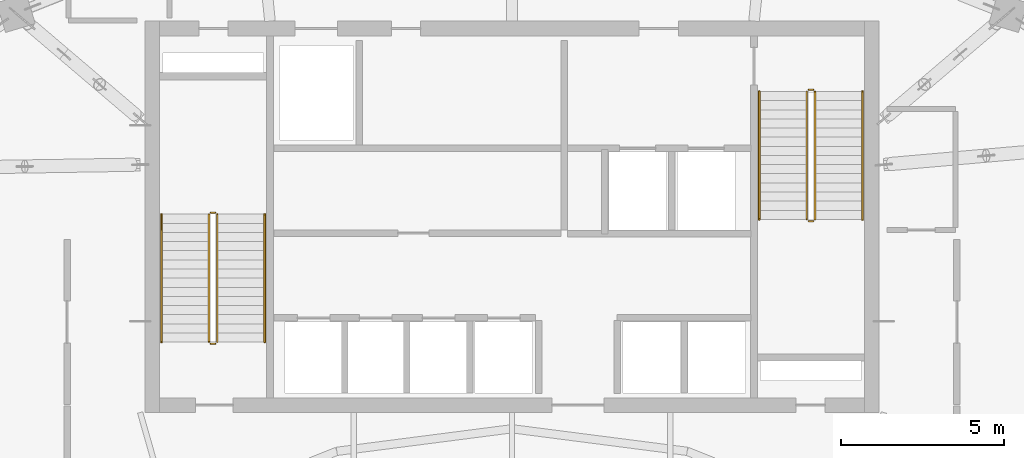
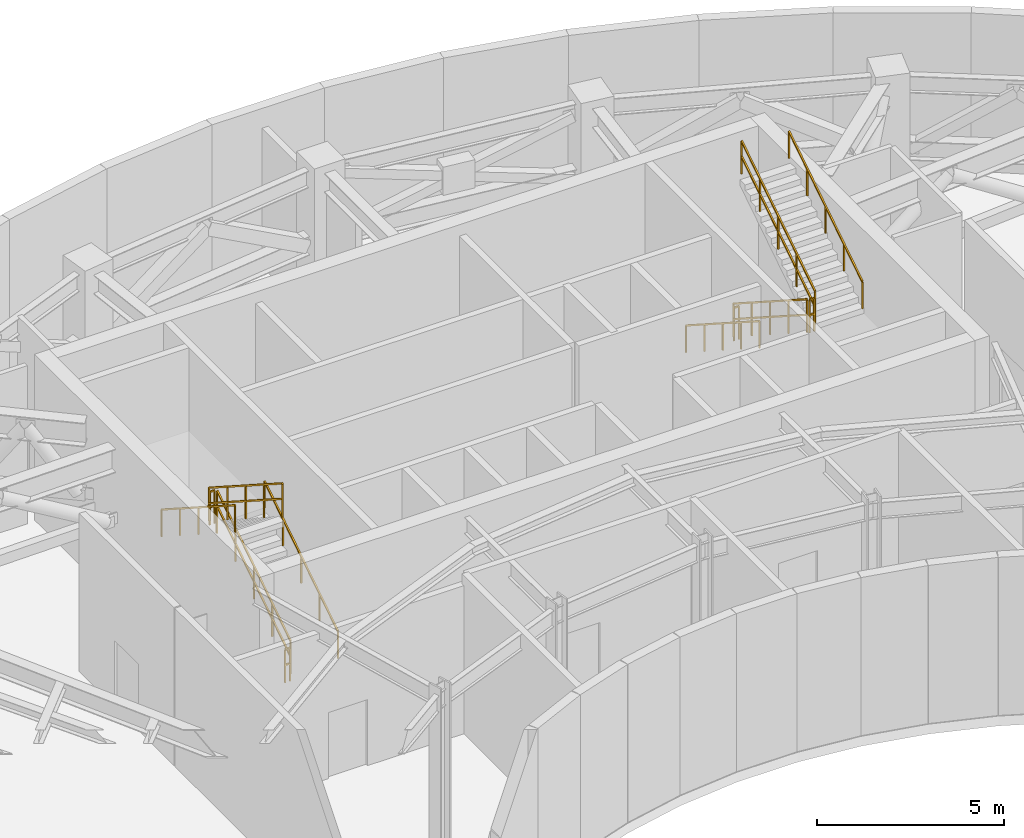
# One storey, part 10 of 10: 12 railings.
"""IFC4 building model written with IfcOpenShell, lengths in metres."""

from ifc_helpers import new_model, si_unit, direction, frame, origin, origin_2d, place, context, subcontext, project, spatial, rectangle, extrude, material, type_object, element, save


model = new_model("IFC4")

# Units and contexts
model_context = context("Model", 3, precision=1e-05, world=origin(), true_north=direction((0.0, 1.0)))
body_context = subcontext(model_context, "Body", "Model", "MODEL_VIEW")
ifc_project = project(units=[si_unit("LENGTHUNIT", "METRE"), si_unit("AREAUNIT", "SQUARE_METRE"), si_unit("VOLUMEUNIT", "CUBIC_METRE"), si_unit("PLANEANGLEUNIT", "RADIAN"), si_unit("MASSUNIT", "GRAM", prefix="KILO")], contexts=[model_context])

# Site, building, storey
site_placement = place(None, origin())
site = spatial("IfcSite", under=ifc_project, at=site_placement, CompositionType="ELEMENT")
building_placement = place(site_placement, origin())
building = spatial("IfcBuilding", under=site, at=building_placement, Name="Breltana Convention Tower", CompositionType="ELEMENT")
storey_placement = place(building_placement, frame((0.0, 0.0, 254.699951171875)))
storey = spatial("IfcBuildingStorey", under=building, at=storey_placement, Name="L62", CompositionType="ELEMENT", Elevation=254.699951171875)

# Railings
ifc_material_1 = material(Name="Steel S275 Painted", Category="steel")
railing_type_1 = type_object("IfcRailingType", Name="RL-STAIR-GUARD-1100", PredefinedType="GUARDRAIL", material=ifc_material_1)
railing_1_placement = place(storey_placement, frame((38.9599609375, 62.360107421875, 0.179931640625)))
element("IfcRailing", 1, at=railing_1_placement, inside=storey, type_object=railing_type_1, Name="L62 ST-1 stair guard 1", PredefinedType="GUARDRAIL", context=body_context, shape_type="SweptSolid", body=[
    extrude(rectangle(XDim=0.048095703125, YDim=0.048095703125, at=origin_2d()), frame((0.0, 0.0, 1.076171875), z_axis=(0.0, 0.841171666519, 0.540768182723), x_axis=(-1.0, 0.0, 0.0)), (0.0, 0.0, 1.0), 4.66015625),
    extrude(rectangle(XDim=0.048095703125, YDim=0.048095703125, at=origin_2d()), frame((0.0, 0.0, 0.572021484375), z_axis=(0.0, 0.841171666519, 0.540768182723), x_axis=(-1.0, 0.0, 0.0)), (0.0, 0.0, 1.0), 4.66015625),
    extrude(rectangle(XDim=0.0419921875, YDim=0.0419921875, at=origin_2d()), origin(), (0.0, 0.0, 1.0), 1.052001953125),
    extrude(rectangle(XDim=0.0419921875, YDim=0.0419921875, at=origin_2d()), frame((0.0, 0.97998046875, 0.6298828125)), (0.0, 0.0, 1.0), 1.052001953125),
    extrude(rectangle(XDim=0.0419921875, YDim=0.0419921875, at=origin_2d()), frame((0.0, 1.9599609375, 1.260009765625)), (0.0, 0.0, 1.0), 1.052001953125),
    extrude(rectangle(XDim=0.0419921875, YDim=0.0419921875, at=origin_2d()), frame((0.0, 2.93994140625, 1.89013671875)), (0.0, 0.0, 1.0), 1.052001953125),
    extrude(rectangle(XDim=0.0419921875, YDim=0.0419921875, at=origin_2d()), frame((0.0, 3.919921875, 2.52001953125)), (0.0, 0.0, 1.0), 1.052001953125),
])
railing_2_placement = place(storey_placement, frame((38.909912109375, 66.330078125, 2.699951171875)))
element("IfcRailing", 2, at=railing_2_placement, inside=storey, type_object=railing_type_1, Name="L62 ST-1 stair guard 2", PredefinedType="GUARDRAIL", context=body_context, shape_type="SweptSolid", body=[
    extrude(rectangle(XDim=0.048095703125, YDim=0.048095703125, at=origin_2d()), frame((0.0, 0.0, 1.076171875), z_axis=(-1.0, 0.0, 0.0), x_axis=(0.0, -1.0, 0.0)), (0.0, 0.0, 1.0), 0.14990234375),
    extrude(rectangle(XDim=0.048095703125, YDim=0.048095703125, at=origin_2d()), frame((0.0, 0.0, 0.572021484375), z_axis=(-1.0, 0.0, 0.0), x_axis=(0.0, -1.0, 0.0)), (0.0, 0.0, 1.0), 0.14990234375),
    extrude(rectangle(XDim=0.0419921875, YDim=0.0419921875, at=origin_2d()), origin(), (0.0, 0.0, 1.0), 1.052001953125),
    extrude(rectangle(XDim=0.0419921875, YDim=0.0419921875, at=origin_2d()), frame((-0.14990234375, 0.0, 0.0)), (0.0, 0.0, 1.0), 1.052001953125),
])
railing_3_placement = place(storey_placement, frame((38.7099609375, 66.280029296875, 2.880126953125)))
element("IfcRailing", 3, at=railing_3_placement, inside=storey, type_object=railing_type_1, Name="L62 ST-1 stair guard 3", PredefinedType="GUARDRAIL", context=body_context, shape_type="SweptSolid", body=[
    extrude(rectangle(XDim=0.048095703125, YDim=0.048095703125, at=origin_2d()), frame((0.0, 0.0, 1.076171875), z_axis=(0.0, -0.841171666519, 0.540768182723), x_axis=(1.0, 0.0, 0.0)), (0.0, 0.0, 1.0), 4.66015625),
    extrude(rectangle(XDim=0.048095703125, YDim=0.048095703125, at=origin_2d()), frame((0.0, 0.0, 0.572021484375), z_axis=(0.0, -0.841171666519, 0.540768182723), x_axis=(1.0, 0.0, 0.0)), (0.0, 0.0, 1.0), 4.66015625),
    extrude(rectangle(XDim=0.0419921875, YDim=0.0419921875, at=origin_2d()), origin(), (0.0, 0.0, 1.0), 1.052001953125),
    extrude(rectangle(XDim=0.0419921875, YDim=0.0419921875, at=origin_2d()), frame((0.0, -0.97998046875, 0.6298828125)), (0.0, 0.0, 1.0), 1.052001953125),
    extrude(rectangle(XDim=0.0419921875, YDim=0.0419921875, at=origin_2d()), frame((0.0, -1.9599609375, 1.260009765625)), (0.0, 0.0, 1.0), 1.052001953125),
    extrude(rectangle(XDim=0.0419921875, YDim=0.0419921875, at=origin_2d()), frame((0.0, -2.93994140625, 1.89013671875)), (0.0, 0.0, 1.0), 1.052001953125),
    extrude(rectangle(XDim=0.0419921875, YDim=0.0419921875, at=origin_2d()), frame((0.0, -3.919921875, 2.52001953125)), (0.0, 0.0, 1.0), 1.052001953125),
])
railing_4_placement = place(storey_placement, frame((38.909912109375, 62.31005859375, 0.0)))
element("IfcRailing", 4, at=railing_4_placement, inside=storey, type_object=railing_type_1, Name="L62 ST-1 stair guard 4", PredefinedType="GUARDRAIL", context=body_context, shape_type="SweptSolid", body=[
    extrude(rectangle(XDim=0.048095703125, YDim=0.048095703125, at=origin_2d()), frame((0.0, 0.0, 1.076171875), z_axis=(-1.0, 0.0, 0.0), x_axis=(0.0, -1.0, 0.0)), (0.0, 0.0, 1.0), 0.14990234375),
    extrude(rectangle(XDim=0.048095703125, YDim=0.048095703125, at=origin_2d()), frame((0.0, 0.0, 0.572021484375), z_axis=(-1.0, 0.0, 0.0), x_axis=(0.0, -1.0, 0.0)), (0.0, 0.0, 1.0), 0.14990234375),
    extrude(rectangle(XDim=0.0419921875, YDim=0.0419921875, at=origin_2d()), origin(), (0.0, 0.0, 1.0), 1.052001953125),
    extrude(rectangle(XDim=0.0419921875, YDim=0.0419921875, at=origin_2d()), frame((-0.14990234375, 0.0, 0.0)), (0.0, 0.0, 1.0), 1.052001953125),
])
railing_5_placement = place(storey_placement, frame((57.0400390625, 70.0400390625, 0.179931640625)))
element("IfcRailing", 5, at=railing_5_placement, inside=storey, type_object=railing_type_1, Name="L62 ST-2 stair guard 1", PredefinedType="GUARDRAIL", context=body_context, shape_type="SweptSolid", body=[
    extrude(rectangle(XDim=0.048095703125, YDim=0.048095703125, at=origin_2d()), frame((0.0, 0.0, 1.076171875), z_axis=(0.0, -0.841171666519, 0.540768182723), x_axis=(1.0, 0.0, 0.0)), (0.0, 0.0, 1.0), 4.66015625),
    extrude(rectangle(XDim=0.048095703125, YDim=0.048095703125, at=origin_2d()), frame((0.0, 0.0, 0.572021484375), z_axis=(0.0, -0.841171666519, 0.540768182723), x_axis=(1.0, 0.0, 0.0)), (0.0, 0.0, 1.0), 4.66015625),
    extrude(rectangle(XDim=0.0419921875, YDim=0.0419921875, at=origin_2d()), origin(), (0.0, 0.0, 1.0), 1.052001953125),
    extrude(rectangle(XDim=0.0419921875, YDim=0.0419921875, at=origin_2d()), frame((0.0, -0.97998046875, 0.6298828125)), (0.0, 0.0, 1.0), 1.052001953125),
    extrude(rectangle(XDim=0.0419921875, YDim=0.0419921875, at=origin_2d()), frame((0.0, -1.9599609375, 1.260009765625)), (0.0, 0.0, 1.0), 1.052001953125),
    extrude(rectangle(XDim=0.0419921875, YDim=0.0419921875, at=origin_2d()), frame((0.0, -2.93994140625, 1.89013671875)), (0.0, 0.0, 1.0), 1.052001953125),
    extrude(rectangle(XDim=0.0419921875, YDim=0.0419921875, at=origin_2d()), frame((0.0, -3.919921875, 2.52001953125)), (0.0, 0.0, 1.0), 1.052001953125),
])
railing_6_placement = place(storey_placement, frame((57.090087890625, 66.070068359375, 2.699951171875)))
element("IfcRailing", 6, at=railing_6_placement, inside=storey, type_object=railing_type_1, Name="L62 ST-2 stair guard 2", PredefinedType="GUARDRAIL", context=body_context, shape_type="SweptSolid", body=[
    extrude(rectangle(XDim=0.048095703125, YDim=0.048095703125, at=origin_2d()), frame((0.0, 0.0, 1.076171875), z_axis=(1.0, 0.0, 0.0), x_axis=(0.0, 1.0, 0.0)), (0.0, 0.0, 1.0), 0.14990234375),
    extrude(rectangle(XDim=0.048095703125, YDim=0.048095703125, at=origin_2d()), frame((0.0, 0.0, 0.572021484375), z_axis=(1.0, 0.0, 0.0), x_axis=(0.0, 1.0, 0.0)), (0.0, 0.0, 1.0), 0.14990234375),
    extrude(rectangle(XDim=0.0419921875, YDim=0.0419921875, at=origin_2d()), origin(), (0.0, 0.0, 1.0), 1.052001953125),
    extrude(rectangle(XDim=0.0419921875, YDim=0.0419921875, at=origin_2d()), frame((0.14990234375, 0.0, 0.0)), (0.0, 0.0, 1.0), 1.052001953125),
])
railing_7_placement = place(storey_placement, frame((57.2900390625, 66.1201171875, 2.880126953125)))
element("IfcRailing", 7, at=railing_7_placement, inside=storey, type_object=railing_type_1, Name="L62 ST-2 stair guard 3", PredefinedType="GUARDRAIL", context=body_context, shape_type="SweptSolid", body=[
    extrude(rectangle(XDim=0.048095703125, YDim=0.048095703125, at=origin_2d()), frame((0.0, 0.0, 1.076171875), z_axis=(0.0, 0.841171666519, 0.540768182723), x_axis=(-1.0, 0.0, 0.0)), (0.0, 0.0, 1.0), 4.66015625),
    extrude(rectangle(XDim=0.048095703125, YDim=0.048095703125, at=origin_2d()), frame((0.0, 0.0, 0.572021484375), z_axis=(0.0, 0.841171666519, 0.540768182723), x_axis=(-1.0, 0.0, 0.0)), (0.0, 0.0, 1.0), 4.66015625),
    extrude(rectangle(XDim=0.0419921875, YDim=0.0419921875, at=origin_2d()), origin(), (0.0, 0.0, 1.0), 1.052001953125),
    extrude(rectangle(XDim=0.0419921875, YDim=0.0419921875, at=origin_2d()), frame((0.0, 0.97998046875, 0.6298828125)), (0.0, 0.0, 1.0), 1.052001953125),
    extrude(rectangle(XDim=0.0419921875, YDim=0.0419921875, at=origin_2d()), frame((0.0, 1.9599609375, 1.260009765625)), (0.0, 0.0, 1.0), 1.052001953125),
    extrude(rectangle(XDim=0.0419921875, YDim=0.0419921875, at=origin_2d()), frame((0.0, 2.93994140625, 1.89013671875)), (0.0, 0.0, 1.0), 1.052001953125),
    extrude(rectangle(XDim=0.0419921875, YDim=0.0419921875, at=origin_2d()), frame((0.0, 3.919921875, 2.52001953125)), (0.0, 0.0, 1.0), 1.052001953125),
])
railing_8_placement = place(storey_placement, frame((57.090087890625, 70.090087890625, 0.0)))
element("IfcRailing", 8, at=railing_8_placement, inside=storey, type_object=railing_type_1, Name="L62 ST-2 stair guard 4", PredefinedType="GUARDRAIL", context=body_context, shape_type="SweptSolid", body=[
    extrude(rectangle(XDim=0.048095703125, YDim=0.048095703125, at=origin_2d()), frame((0.0, 0.0, 1.076171875), z_axis=(1.0, 0.0, 0.0), x_axis=(0.0, 1.0, 0.0)), (0.0, 0.0, 1.0), 0.14990234375),
    extrude(rectangle(XDim=0.048095703125, YDim=0.048095703125, at=origin_2d()), frame((0.0, 0.0, 0.572021484375), z_axis=(1.0, 0.0, 0.0), x_axis=(0.0, 1.0, 0.0)), (0.0, 0.0, 1.0), 0.14990234375),
    extrude(rectangle(XDim=0.0419921875, YDim=0.0419921875, at=origin_2d()), origin(), (0.0, 0.0, 1.0), 1.052001953125),
    extrude(rectangle(XDim=0.0419921875, YDim=0.0419921875, at=origin_2d()), frame((0.14990234375, 0.0, 0.0)), (0.0, 0.0, 1.0), 1.052001953125),
])
ifc_material_2 = material(Name="Stainless Steel 316L", Category="steel")
railing_type_2 = type_object("IfcRailingType", Name="RL-STAIR-HANDRAIL-900", PredefinedType="HANDRAIL", material=ifc_material_2)
railing_9_placement = place(storey_placement, frame((40.419921875, 62.360107421875, 0.179931640625)))
element("IfcRailing", 9, at=railing_9_placement, inside=storey, type_object=railing_type_2, Name="L62 ST-1 stair handrail 1", PredefinedType="HANDRAIL", context=body_context, shape_type="SweptSolid", body=[
    extrude(rectangle(XDim=0.048095703125, YDim=0.048095703125, at=origin_2d()), frame((0.0, 0.0, 0.8759765625), z_axis=(0.0, 0.841171666519, 0.540768182723), x_axis=(-1.0, 0.0, 0.0)), (0.0, 0.0, 1.0), 4.66015625),
    extrude(rectangle(XDim=0.0419921875, YDim=0.0419921875, at=origin_2d()), origin(), (0.0, 0.0, 1.0), 0.851806640625),
    extrude(rectangle(XDim=0.0419921875, YDim=0.0419921875, at=origin_2d()), frame((0.0, 0.97998046875, 0.6298828125)), (0.0, 0.0, 1.0), 0.851806640625),
    extrude(rectangle(XDim=0.0419921875, YDim=0.0419921875, at=origin_2d()), frame((0.0, 1.9599609375, 1.260009765625)), (0.0, 0.0, 1.0), 0.851806640625),
    extrude(rectangle(XDim=0.0419921875, YDim=0.0419921875, at=origin_2d()), frame((0.0, 2.93994140625, 1.89013671875)), (0.0, 0.0, 1.0), 0.851806640625),
    extrude(rectangle(XDim=0.0419921875, YDim=0.0419921875, at=origin_2d()), frame((0.0, 3.919921875, 2.52001953125)), (0.0, 0.0, 1.0), 0.851806640625),
])
for number, where, name in (
    (10, (37.25, 66.280029296875, 2.880126953125), "L62 ST-1 stair handrail 2"),
    (11, (55.580078125, 70.0400390625, 0.179931640625), "L62 ST-2 stair handrail 1"),
):
    element("IfcRailing", number, at=place(storey_placement, frame(where)), inside=storey, type_object=railing_type_2, Name=name, PredefinedType="HANDRAIL", context=body_context, shape_type="SweptSolid", body=[
        extrude(rectangle(XDim=0.048095703125, YDim=0.048095703125, at=origin_2d()), frame((0.0, 0.0, 0.8759765625), z_axis=(0.0, -0.841171666519, 0.540768182723), x_axis=(1.0, 0.0, 0.0)), (0.0, 0.0, 1.0), 4.66015625),
        extrude(rectangle(XDim=0.0419921875, YDim=0.0419921875, at=origin_2d()), origin(), (0.0, 0.0, 1.0), 0.851806640625),
        extrude(rectangle(XDim=0.0419921875, YDim=0.0419921875, at=origin_2d()), frame((0.0, -0.97998046875, 0.6298828125)), (0.0, 0.0, 1.0), 0.851806640625),
        extrude(rectangle(XDim=0.0419921875, YDim=0.0419921875, at=origin_2d()), frame((0.0, -1.9599609375, 1.260009765625)), (0.0, 0.0, 1.0), 0.851806640625),
        extrude(rectangle(XDim=0.0419921875, YDim=0.0419921875, at=origin_2d()), frame((0.0, -2.93994140625, 1.89013671875)), (0.0, 0.0, 1.0), 0.851806640625),
        extrude(rectangle(XDim=0.0419921875, YDim=0.0419921875, at=origin_2d()), frame((0.0, -3.919921875, 2.52001953125)), (0.0, 0.0, 1.0), 0.851806640625),
    ])
railing_10_placement = place(storey_placement, frame((58.75, 66.1201171875, 2.880126953125)))
element("IfcRailing", 12, at=railing_10_placement, inside=storey, type_object=railing_type_2, Name="L62 ST-2 stair handrail 2", PredefinedType="HANDRAIL", context=body_context, shape_type="SweptSolid", body=[
    extrude(rectangle(XDim=0.048095703125, YDim=0.048095703125, at=origin_2d()), frame((0.0, 0.0, 0.8759765625), z_axis=(0.0, 0.841171666519, 0.540768182723), x_axis=(-1.0, 0.0, 0.0)), (0.0, 0.0, 1.0), 4.66015625),
    extrude(rectangle(XDim=0.0419921875, YDim=0.0419921875, at=origin_2d()), origin(), (0.0, 0.0, 1.0), 0.851806640625),
    extrude(rectangle(XDim=0.0419921875, YDim=0.0419921875, at=origin_2d()), frame((0.0, 0.97998046875, 0.6298828125)), (0.0, 0.0, 1.0), 0.851806640625),
    extrude(rectangle(XDim=0.0419921875, YDim=0.0419921875, at=origin_2d()), frame((0.0, 1.9599609375, 1.260009765625)), (0.0, 0.0, 1.0), 0.851806640625),
    extrude(rectangle(XDim=0.0419921875, YDim=0.0419921875, at=origin_2d()), frame((0.0, 2.93994140625, 1.89013671875)), (0.0, 0.0, 1.0), 0.851806640625),
    extrude(rectangle(XDim=0.0419921875, YDim=0.0419921875, at=origin_2d()), frame((0.0, 3.919921875, 2.52001953125)), (0.0, 0.0, 1.0), 0.851806640625),
])

save(model, "model.ifc")
